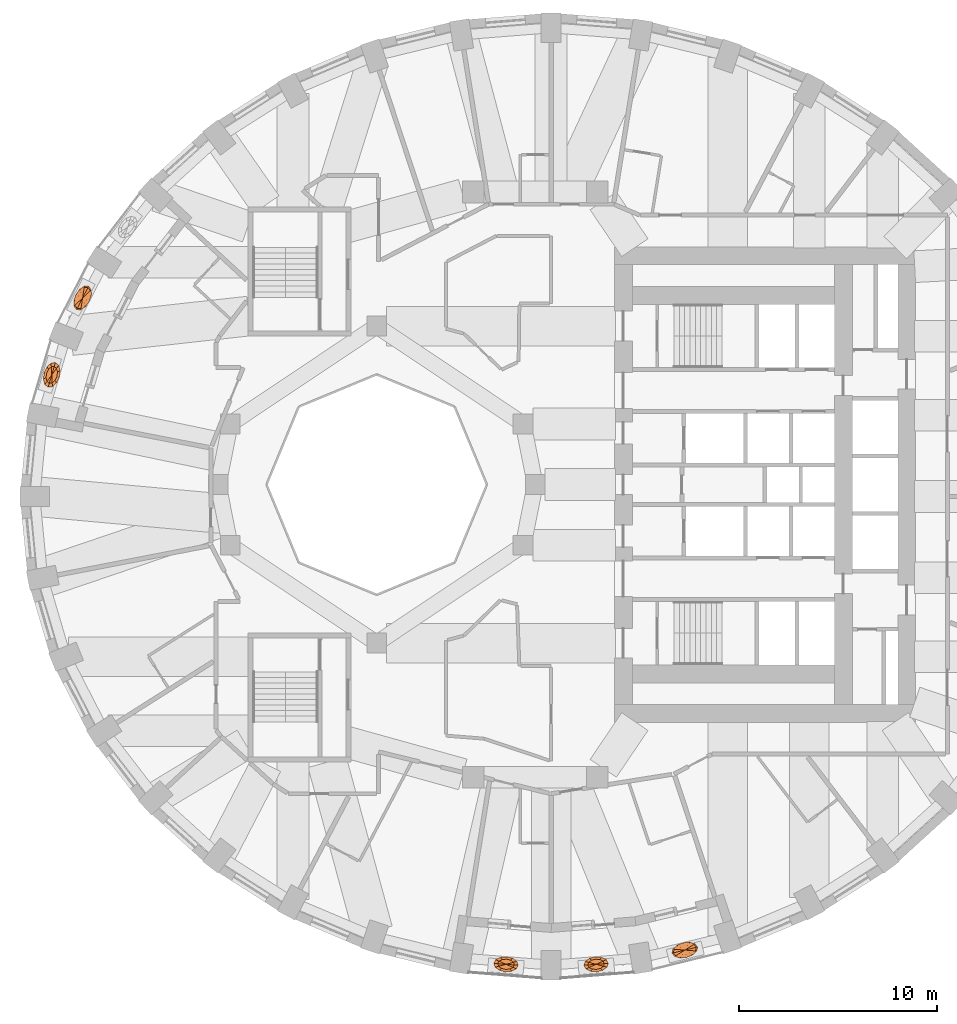
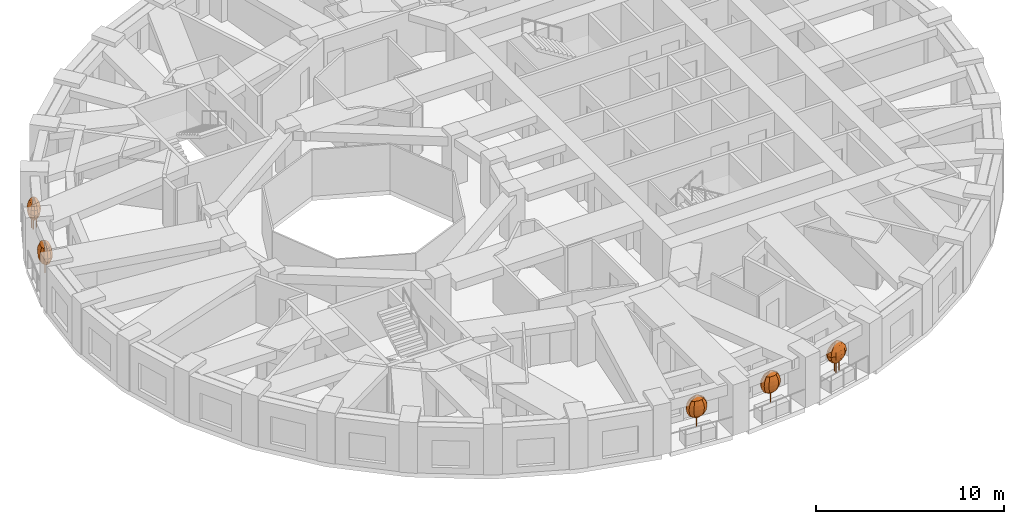
# One storey, part 12 of 13: 5 geographic elements.
"""IFC4 building model written with IfcOpenShell, lengths in metres."""

import ifcopenshell
import ifcopenshell.guid

model = None  # the IFC model being written
_history = None  # IfcOwnerHistory: only IFC2X3 demands one
_inside = {}  # id of a spatial element -> (the spatial element, [elements in it])
_under = {}  # id of a project, library or spatial element -> (it, [spatial elements below it])
_declared = {}  # id of a project -> (the project, [libraries it declares])
_typed = {}  # id of a type object -> (the type object, [elements of that type])
_made_of = {}  # id of a material, layer set ... -> (it, [elements and type objects made of it])


def new_model(schema):
    """Start an empty IFC model of exactly this schema.

    Asked for "IFC4X3", IfcOpenShell would pick the latest addendum, in which some entities
    have other attributes; the version numbers below select the first issue.
    IFC2X3 requires an IfcOwnerHistory on every rooted entity: one is made here for all.
    """
    global model, _history
    if schema == "IFC4X3":
        model = ifcopenshell.file(schema_version=(4, 3, 0, 0))
    else:
        model = ifcopenshell.file(schema=schema)
    _inside.clear()
    _under.clear()
    _declared.clear()
    _typed.clear()
    _made_of.clear()
    _history = None
    if model.schema == "IFC2X3":
        org = make("IfcOrganization", Name="unknown")
        user = make(
            "IfcPersonAndOrganization",
            ThePerson=make("IfcPerson", FamilyName="unknown"),
            TheOrganization=org,
        )
        app = make(
            "IfcApplication",
            ApplicationDeveloper=org,
            Version="unknown",
            ApplicationFullName="unknown",
            ApplicationIdentifier="unknown",
        )
        _history = make(
            "IfcOwnerHistory",
            OwningUser=user,
            OwningApplication=app,
            ChangeAction="ADDED",
            CreationDate=0,
        )
    return model


def make(cls, **values):
    """One entity of the class cls with the attributes given. An attribute that is None is left unset."""
    return model.create_entity(
        cls, **{name: value for name, value in values.items() if value is not None}
    )


def rooted(cls, **values):
    """An entity with a GlobalId (a new one), such as an element, a storey or a relation."""
    return make(cls, GlobalId=ifcopenshell.guid.new(), OwnerHistory=_history, **values)


def si_unit(unit_type, name, prefix=None):
    """IfcSIUnit, for example si_unit("LENGTHUNIT", "METRE", prefix="MILLI")."""
    return make("IfcSIUnit", UnitType=unit_type, Prefix=prefix, Name=name)


def assignment(units):
    """IfcUnitAssignment: the units of a project."""
    return None if units is None else make("IfcUnitAssignment", Units=units)


def point(xyz):
    """IfcCartesianPoint."""
    return None if xyz is None else make("IfcCartesianPoint", Coordinates=xyz)


def direction(xyz):
    """IfcDirection."""
    return None if xyz is None else make("IfcDirection", DirectionRatios=xyz)


def frame(location, z_axis=None, x_axis=None):
    """IfcAxis2Placement3D, a coordinate frame: its origin and axes. An axis left out is left unset."""
    return make(
        "IfcAxis2Placement3D",
        Location=point(location),
        Axis=direction(z_axis),
        RefDirection=direction(x_axis),
    )


def origin():
    """The frame at (0, 0, 0) with its axes left unset."""
    return frame((0.0, 0.0, 0.0))


def place(relative_to, where):
    """IfcLocalPlacement: puts the frame where relative to a parent placement (None: the world)."""
    return make(
        "IfcLocalPlacement", PlacementRelTo=relative_to, RelativePlacement=where
    )


def context(
    kind, dimensions, precision=None, world=None, true_north=None, identifier=None
):
    """IfcGeometricRepresentationContext, for example the 3D "Model" context."""
    return make(
        "IfcGeometricRepresentationContext",
        ContextIdentifier=identifier,
        ContextType=kind,
        CoordinateSpaceDimension=dimensions,
        Precision=precision,
        WorldCoordinateSystem=world,
        TrueNorth=true_north,
    )


def subcontext(parent, identifier, kind, view, scale=None):
    """IfcGeometricRepresentationSubContext, for example "Body" below "Model"."""
    return make(
        "IfcGeometricRepresentationSubContext",
        ContextIdentifier=identifier,
        ContextType=kind,
        ParentContext=parent,
        TargetScale=scale,
        TargetView=view,
    )


def project(units=None, contexts=None):
    """IfcProject with its units and contexts."""
    return rooted(
        "IfcProject",
        Name="project",
        RepresentationContexts=contexts,
        UnitsInContext=assignment(units),
    )


def spatial(cls, under=None, at=None, **own):
    """A site, building, storey or space (cls), placed at a placement, below another one or the project."""
    s = rooted(cls, ObjectPlacement=at, **own)
    if under is not None:
        _under.setdefault(under.id(), (under, []))[1].append(s)
    return s


def faces_of(points, faces, orient=None, outer=None):
    """IfcFace entities. A face is a list of loops; a loop is a list of indices into points, from 0.

    orient and outer hold one flag for each loop. By default every Orientation is true, the
    first loop of a face is its IfcFaceOuterBound and the others are IfcFaceBound.
    """
    made = []
    for i, loops in enumerate(faces):
        bounds = []
        for j, loop in enumerate(loops):
            is_outer = j == 0 if outer is None else outer[i][j]
            bounds.append(
                make(
                    "IfcFaceOuterBound" if is_outer else "IfcFaceBound",
                    Bound=make("IfcPolyLoop", Polygon=[points[k] for k in loop]),
                    Orientation=True if orient is None else orient[i][j],
                )
            )
        made.append(make("IfcFace", Bounds=bounds))
    return made


def faceted_brep(points, faces, orient=None, outer=None, voids=None):
    """IfcFacetedBrep: a solid bounded by flat faces; with voids (closed shells), ...WithVoids."""
    shared = [point(p) for p in points]
    hull = make("IfcClosedShell", CfsFaces=faces_of(shared, faces, orient, outer))
    if voids is None:
        return make("IfcFacetedBrep", Outer=hull)
    return make(
        "IfcFacetedBrepWithVoids",
        Outer=hull,
        Voids=[
            make(cls, CfsFaces=faces_of(shared, fs, o, b)) for cls, fs, o, b in voids
        ],
    )


def shape(context_of_items, identifier, shape_type, items):
    """IfcShapeRepresentation: the items that make up one representation, for example the "Body"."""
    return make(
        "IfcShapeRepresentation",
        ContextOfItems=context_of_items,
        RepresentationIdentifier=identifier,
        RepresentationType=shape_type,
        Items=items,
    )


def material(Name=None, Category=None):
    """IfcMaterial."""
    return make("IfcMaterial", Name=Name, Category=Category)


def constituent(of_material, Name=None, Category=None, fraction=None):
    """IfcMaterialConstituent: one of the materials an element consists of."""
    return make(
        "IfcMaterialConstituent",
        Name=Name,
        Material=of_material,
        Fraction=fraction,
        Category=Category,
    )


def constituent_set(constituents=None, Name=None):
    """IfcMaterialConstituentSet."""
    return make(
        "IfcMaterialConstituentSet", Name=Name, MaterialConstituents=constituents
    )


def made_of(thing, what):
    """Note that an element or type object is made of a material, layer set ...; save() writes the relation."""
    if what is not None:
        _made_of.setdefault(what.id(), (what, []))[1].append(thing)
    return thing


def type_object(cls, material=None, **own):
    """A type object (cls), such as IfcWallType, which elements share."""
    return made_of(rooted(cls, **own), material)


def element(
    cls,
    number,
    at=None,
    inside=None,
    cuts=None,
    type_object=None,
    material=None,
    context=None,
    identifier="Body",
    shape_type=None,
    held_by="IfcProductDefinitionShape",
    body=None,
    shapes=None,
    **own,
):
    """One element of the class cls, such as IfcWall. Its Tag is "e" and its number.

    at: its placement. inside: the storey or other place that contains it. cuts: it is an
    opening in that element (IfcRelVoidsElement). A single representation is given by context,
    identifier, shape_type and body (its items); several are given by shapes. held_by: the class
    of the entity that holds the representations. save() writes the other relations.
    """
    e = rooted(cls, Tag="e%d" % number, ObjectPlacement=at, **own)
    if body is not None:
        shapes = [shape(context, identifier, shape_type, body)]
    if shapes is not None:
        e.Representation = make(held_by, Representations=shapes)
    if inside is not None:
        _inside.setdefault(inside.id(), (inside, []))[1].append(e)
    if cuts is not None:
        rooted(
            "IfcRelVoidsElement", RelatingBuildingElement=cuts, RelatedOpeningElement=e
        )
    if type_object is not None:
        _typed.setdefault(type_object.id(), (type_object, []))[1].append(e)
    return made_of(e, material)


def aggregate(whole, parts):
    """IfcRelAggregates: a whole, such as a stair, and the parts it consists of."""
    return rooted("IfcRelAggregates", RelatingObject=whole, RelatedObjects=parts)


def save(model, path):
    """Write the relations noted so far, then the file.

    IfcRelAggregates (storeys below a building ...), IfcRelContainedInSpatialStructure (elements
    in a storey), IfcRelDefinesByType, IfcRelAssociatesMaterial and IfcRelDeclares: one each for
    every whole, place, type object, material and project.
    """
    for whole, parts in _under.values():
        aggregate(whole, parts)
    for where, things in _inside.values():
        rooted(
            "IfcRelContainedInSpatialStructure",
            RelatedElements=things,
            RelatingStructure=where,
        )
    for kind, things in _typed.values():
        rooted("IfcRelDefinesByType", RelatedObjects=things, RelatingType=kind)
    for what, things in _made_of.values():
        rooted("IfcRelAssociatesMaterial", RelatedObjects=things, RelatingMaterial=what)
    for by, libraries in _declared.values():
        rooted("IfcRelDeclares", RelatingContext=by, RelatedDefinitions=libraries)
    model.write(path)


model = new_model("IFC4")

# Units and contexts
model_context = context("Model", 3, precision=1e-05, world=origin(), true_north=direction((0.0, 1.0)))
body_context = subcontext(model_context, "Body", "Model", "MODEL_VIEW")
ifc_project = project(units=[si_unit("LENGTHUNIT", "METRE"), si_unit("AREAUNIT", "SQUARE_METRE"), si_unit("VOLUMEUNIT", "CUBIC_METRE"), si_unit("PLANEANGLEUNIT", "RADIAN"), si_unit("MASSUNIT", "GRAM", prefix="KILO")], contexts=[model_context])

# Site, building, storey
site_placement = place(None, origin())
site = spatial("IfcSite", under=ifc_project, at=site_placement, CompositionType="ELEMENT")
building_placement = place(site_placement, origin())
building = spatial("IfcBuilding", under=site, at=building_placement, Name="Taillehof Tower", CompositionType="ELEMENT")
storey_placement = place(building_placement, frame((0.0, 0.0, 112.0)))
storey = spatial("IfcBuildingStorey", under=building, at=storey_placement, Name="L31", CompositionType="ELEMENT", Elevation=112.0)

# Geographic elements
ifc_material_1 = material(Name="Tree bark", Category="timber")
ifc_constituent_1 = constituent(ifc_material_1, Name="Trunk", Category="timber")
ifc_material_2 = material(Name="Tree foliage")
ifc_constituent_2 = constituent(ifc_material_2, Name="Crown")
ifc_constituent_set_1 = constituent_set(constituents=[ifc_constituent_1, ifc_constituent_2], Name="Tree TR1 Columnar hornbeam")
geographic_element_type_1 = type_object("IfcGeographicElementType", Name="Tree TR1 Columnar hornbeam", PredefinedType="USERDEFINED", material=ifc_constituent_set_1)
geographic_element_1_placement = place(storey_placement, frame((-24.39794921875, 5.535888671875, 0.75)))
element("IfcGeographicElement", 1, at=geographic_element_1_placement, inside=storey, type_object=geographic_element_type_1, Name="Tree TR1 Columnar hornbeam", ObjectType="TREE", PredefinedType="USERDEFINED", context=body_context, shape_type="Brep", body=[
    faceted_brep([(0.030029296875, 0.0, 0.0), (0.021240234375, 0.021240234375, 0.0), (0.021240234375, 0.021240234375, 1.092529296875), (0.030029296875, 0.0, 1.092529296875), (0.0, 0.030029296875, 0.0), (0.0, 0.030029296875, 1.092529296875), (-0.021240234375, 0.021240234375, 0.0), (-0.021240234375, 0.021240234375, 1.092529296875), (-0.030029296875, 0.0, 0.0), (-0.030029296875, 0.0, 1.092529296875), (-0.021240234375, -0.021240234375, 0.0), (-0.021240234375, -0.021240234375, 1.092529296875), (0.0, -0.030029296875, 0.0), (0.0, -0.030029296875, 1.092529296875), (0.021240234375, -0.021240234375, 0.0), (0.021240234375, -0.021240234375, 1.092529296875)], [[[0, 1, 2, 3]], [[1, 4, 5, 2]], [[4, 6, 7, 5]], [[6, 8, 9, 7]], [[8, 10, 11, 9]], [[10, 12, 13, 11]], [[12, 14, 15, 13]], [[14, 0, 3, 15]], [[14, 12, 10, 8, 6, 4, 1, 0]], [[3, 2, 5, 7, 9, 11, 13, 15]]]),
    faceted_brep([(0.0, 0.0, 0.550048828125), (0.022216796875, -0.407470703125, 0.808349609375), (-0.125732421875, -0.42578125, 0.808349609375), (0.1640625, -0.27978515625, 0.808349609375), (0.261962890625, -0.077392578125, 0.808349609375), (0.289794921875, 0.14599609375, 0.808349609375), (0.23974609375, 0.330078125, 0.808349609375), (0.125732421875, 0.42578125, 0.808349609375), (-0.022216796875, 0.407470703125, 0.808349609375), (-0.1640625, 0.27978515625, 0.808349609375), (-0.261962890625, 0.077392578125, 0.808349609375), (-0.289794921875, -0.14599609375, 0.808349609375), (-0.23974609375, -0.330078125, 0.808349609375), (0.030029296875, -0.551025390625, 1.066650390625), (-0.169921875, -0.575927734375, 1.066650390625), (0.221923828125, -0.378662109375, 1.066650390625), (0.3544921875, -0.1044921875, 1.066650390625), (0.391845703125, 0.197509765625, 1.066650390625), (0.324462890625, 0.446533203125, 1.066650390625), (0.169921875, 0.575927734375, 1.066650390625), (-0.030029296875, 0.551025390625, 1.066650390625), (-0.221923828125, 0.378662109375, 1.066650390625), (-0.3544921875, 0.1044921875, 1.066650390625), (-0.391845703125, -0.197509765625, 1.066650390625), (-0.324462890625, -0.446533203125, 1.066650390625), (0.032470703125, -0.596435546875, 1.324951171875), (-0.18408203125, -0.62353515625, 1.324951171875), (0.240234375, -0.40966796875, 1.324951171875), (0.383544921875, -0.11328125, 1.324951171875), (0.42431640625, 0.213623046875, 1.324951171875), (0.35107421875, 0.4833984375, 1.324951171875), (0.18408203125, 0.62353515625, 1.324951171875), (-0.032470703125, 0.596435546875, 1.324951171875), (-0.240234375, 0.40966796875, 1.324951171875), (-0.383544921875, 0.11328125, 1.324951171875), (-0.42431640625, -0.213623046875, 1.324951171875), (-0.35107421875, -0.4833984375, 1.324951171875), (0.030029296875, -0.551025390625, 1.583251953125), (-0.169921875, -0.575927734375, 1.583251953125), (0.221923828125, -0.378662109375, 1.583251953125), (0.3544921875, -0.1044921875, 1.583251953125), (0.391845703125, 0.197509765625, 1.583251953125), (0.324462890625, 0.446533203125, 1.583251953125), (0.169921875, 0.575927734375, 1.583251953125), (-0.030029296875, 0.551025390625, 1.583251953125), (-0.221923828125, 0.378662109375, 1.583251953125), (-0.3544921875, 0.1044921875, 1.583251953125), (-0.391845703125, -0.197509765625, 1.583251953125), (-0.324462890625, -0.446533203125, 1.583251953125), (0.022216796875, -0.407470703125, 1.841552734375), (-0.125732421875, -0.42578125, 1.841552734375), (0.1640625, -0.27978515625, 1.841552734375), (0.261962890625, -0.077392578125, 1.841552734375), (0.289794921875, 0.14599609375, 1.841552734375), (0.23974609375, 0.330078125, 1.841552734375), (0.125732421875, 0.42578125, 1.841552734375), (-0.022216796875, 0.407470703125, 1.841552734375), (-0.1640625, 0.27978515625, 1.841552734375), (-0.261962890625, 0.077392578125, 1.841552734375), (-0.289794921875, -0.14599609375, 1.841552734375), (-0.23974609375, -0.330078125, 1.841552734375), (0.0, 0.0, 2.10009765625)], [[[0, 1, 2]], [[0, 3, 1]], [[0, 4, 3]], [[0, 5, 4]], [[0, 6, 5]], [[0, 7, 6]], [[0, 8, 7]], [[0, 9, 8]], [[0, 10, 9]], [[0, 11, 10]], [[0, 12, 11]], [[0, 2, 12]], [[2, 1, 13, 14]], [[1, 3, 15, 13]], [[3, 4, 16, 15]], [[4, 5, 17, 16]], [[5, 6, 18, 17]], [[6, 7, 19, 18]], [[7, 8, 20, 19]], [[8, 9, 21, 20]], [[9, 10, 22, 21]], [[10, 11, 23, 22]], [[11, 12, 24, 23]], [[12, 2, 14, 24]], [[14, 13, 25, 26]], [[13, 15, 27, 25]], [[15, 16, 28, 27]], [[16, 17, 29, 28]], [[17, 18, 30, 29]], [[18, 19, 31, 30]], [[19, 20, 32, 31]], [[20, 21, 33, 32]], [[21, 22, 34, 33]], [[22, 23, 35, 34]], [[23, 24, 36, 35]], [[24, 14, 26, 36]], [[26, 25, 37, 38]], [[25, 27, 39, 37]], [[27, 28, 40, 39]], [[28, 29, 41, 40]], [[29, 30, 42, 41]], [[30, 31, 43, 42]], [[31, 32, 44, 43]], [[32, 33, 45, 44]], [[33, 34, 46, 45]], [[34, 35, 47, 46]], [[35, 36, 48, 47]], [[36, 26, 38, 48]], [[38, 37, 49, 50]], [[37, 39, 51, 49]], [[39, 40, 52, 51]], [[40, 41, 53, 52]], [[41, 42, 54, 53]], [[42, 43, 55, 54]], [[43, 44, 56, 55]], [[44, 45, 57, 56]], [[45, 46, 58, 57]], [[46, 47, 59, 58]], [[47, 48, 60, 59]], [[48, 38, 50, 60]], [[50, 49, 61]], [[49, 51, 61]], [[51, 52, 61]], [[52, 53, 61]], [[53, 54, 61]], [[54, 55, 61]], [[55, 56, 61]], [[56, 57, 61]], [[57, 58, 61]], [[58, 59, 61]], [[59, 60, 61]], [[60, 50, 61]]]),
])
geographic_element_2_placement = place(storey_placement, frame((-1.472900390625, -24.20751953125, 0.75)))
element("IfcGeographicElement", 2, at=geographic_element_2_placement, inside=storey, type_object=geographic_element_type_1, Name="Tree TR1 Columnar hornbeam", ObjectType="TREE", PredefinedType="USERDEFINED", context=body_context, shape_type="Brep", body=[
    faceted_brep([(0.030029296875, 0.0, 0.0), (0.021240234375, 0.021240234375, 0.0), (0.021240234375, 0.021240234375, 1.092529296875), (0.030029296875, 0.0, 1.092529296875), (0.0, 0.030029296875, 0.0), (0.0, 0.030029296875, 1.092529296875), (-0.021240234375, 0.021240234375, 0.0), (-0.021240234375, 0.021240234375, 1.092529296875), (-0.030029296875, 0.0, 0.0), (-0.030029296875, 0.0, 1.092529296875), (-0.021240234375, -0.021240234375, 0.0), (-0.021240234375, -0.021240234375, 1.092529296875), (0.0, -0.030029296875, 0.0), (0.0, -0.030029296875, 1.092529296875), (0.021240234375, -0.021240234375, 0.0), (0.021240234375, -0.021240234375, 1.092529296875)], [[[0, 1, 2, 3]], [[1, 4, 5, 2]], [[4, 6, 7, 5]], [[6, 8, 9, 7]], [[8, 10, 11, 9]], [[10, 12, 13, 11]], [[12, 14, 15, 13]], [[14, 0, 3, 15]], [[14, 12, 10, 8, 6, 4, 1, 0]], [[3, 2, 5, 7, 9, 11, 13, 15]]]),
    faceted_brep([(0.0, 0.0, 0.550048828125), (0.374267578125, 0.100341796875, 0.808349609375), (0.42041015625, -0.033447265625, 0.808349609375), (0.22802734375, 0.207275390625, 0.808349609375), (0.0205078125, 0.2587890625, 0.808349609375), (-0.1923828125, 0.24072265625, 0.808349609375), (-0.353759765625, 0.158203125, 0.808349609375), (-0.42041015625, 0.033447265625, 0.808349609375), (-0.374267578125, -0.100341796875, 0.808349609375), (-0.22802734375, -0.207275390625, 0.808349609375), (-0.0205078125, -0.2587890625, 0.808349609375), (0.1923828125, -0.24072265625, 0.808349609375), (0.353759765625, -0.158203125, 0.808349609375), (0.50634765625, 0.135986328125, 1.066650390625), (0.56884765625, -0.045166015625, 1.066650390625), (0.308349609375, 0.280517578125, 1.066650390625), (0.02783203125, 0.35009765625, 1.066650390625), (-0.26025390625, 0.32568359375, 1.066650390625), (-0.478759765625, 0.214111328125, 1.066650390625), (-0.56884765625, 0.045166015625, 1.066650390625), (-0.50634765625, -0.135986328125, 1.066650390625), (-0.308349609375, -0.280517578125, 1.066650390625), (-0.02783203125, -0.35009765625, 1.066650390625), (0.26025390625, -0.32568359375, 1.066650390625), (0.478759765625, -0.214111328125, 1.066650390625), (0.548095703125, 0.14697265625, 1.324951171875), (0.615478515625, -0.048828125, 1.324951171875), (0.333740234375, 0.3037109375, 1.324951171875), (0.030029296875, 0.37890625, 1.324951171875), (-0.28173828125, 0.3525390625, 1.324951171875), (-0.51806640625, 0.231689453125, 1.324951171875), (-0.615478515625, 0.048828125, 1.324951171875), (-0.548095703125, -0.14697265625, 1.324951171875), (-0.333740234375, -0.3037109375, 1.324951171875), (-0.030029296875, -0.37890625, 1.324951171875), (0.28173828125, -0.3525390625, 1.324951171875), (0.51806640625, -0.231689453125, 1.324951171875), (0.50634765625, 0.135986328125, 1.583251953125), (0.56884765625, -0.045166015625, 1.583251953125), (0.308349609375, 0.280517578125, 1.583251953125), (0.02783203125, 0.35009765625, 1.583251953125), (-0.26025390625, 0.32568359375, 1.583251953125), (-0.478759765625, 0.214111328125, 1.583251953125), (-0.56884765625, 0.045166015625, 1.583251953125), (-0.50634765625, -0.135986328125, 1.583251953125), (-0.308349609375, -0.280517578125, 1.583251953125), (-0.02783203125, -0.35009765625, 1.583251953125), (0.26025390625, -0.32568359375, 1.583251953125), (0.478759765625, -0.214111328125, 1.583251953125), (0.374267578125, 0.100341796875, 1.841552734375), (0.42041015625, -0.033447265625, 1.841552734375), (0.22802734375, 0.207275390625, 1.841552734375), (0.0205078125, 0.2587890625, 1.841552734375), (-0.1923828125, 0.24072265625, 1.841552734375), (-0.353759765625, 0.158203125, 1.841552734375), (-0.42041015625, 0.033447265625, 1.841552734375), (-0.374267578125, -0.100341796875, 1.841552734375), (-0.22802734375, -0.207275390625, 1.841552734375), (-0.0205078125, -0.2587890625, 1.841552734375), (0.1923828125, -0.24072265625, 1.841552734375), (0.353759765625, -0.158203125, 1.841552734375), (0.0, 0.0, 2.10009765625)], [[[0, 1, 2]], [[0, 3, 1]], [[0, 4, 3]], [[0, 5, 4]], [[0, 6, 5]], [[0, 7, 6]], [[0, 8, 7]], [[0, 9, 8]], [[0, 10, 9]], [[0, 11, 10]], [[0, 12, 11]], [[0, 2, 12]], [[2, 1, 13, 14]], [[1, 3, 15, 13]], [[3, 4, 16, 15]], [[4, 5, 17, 16]], [[5, 6, 18, 17]], [[6, 7, 19, 18]], [[7, 8, 20, 19]], [[8, 9, 21, 20]], [[9, 10, 22, 21]], [[10, 11, 23, 22]], [[11, 12, 24, 23]], [[12, 2, 14, 24]], [[14, 13, 25, 26]], [[13, 15, 27, 25]], [[15, 16, 28, 27]], [[16, 17, 29, 28]], [[17, 18, 30, 29]], [[18, 19, 31, 30]], [[19, 20, 32, 31]], [[20, 21, 33, 32]], [[21, 22, 34, 33]], [[22, 23, 35, 34]], [[23, 24, 36, 35]], [[24, 14, 26, 36]], [[26, 25, 37, 38]], [[25, 27, 39, 37]], [[27, 28, 40, 39]], [[28, 29, 41, 40]], [[29, 30, 42, 41]], [[30, 31, 43, 42]], [[31, 32, 44, 43]], [[32, 33, 45, 44]], [[33, 34, 46, 45]], [[34, 35, 47, 46]], [[35, 36, 48, 47]], [[36, 26, 38, 48]], [[38, 37, 49, 50]], [[37, 39, 51, 49]], [[39, 40, 52, 51]], [[40, 41, 53, 52]], [[41, 42, 54, 53]], [[42, 43, 55, 54]], [[43, 44, 56, 55]], [[44, 45, 57, 56]], [[45, 46, 58, 57]], [[46, 47, 59, 58]], [[47, 48, 60, 59]], [[48, 38, 50, 60]], [[50, 49, 61]], [[49, 51, 61]], [[51, 52, 61]], [[52, 53, 61]], [[53, 54, 61]], [[54, 55, 61]], [[55, 56, 61]], [[56, 57, 61]], [[57, 58, 61]], [[58, 59, 61]], [[59, 60, 61]], [[60, 50, 61]]]),
])
geographic_element_3_placement = place(storey_placement, frame((3.072998046875, -24.20751953125, 0.75)))
element("IfcGeographicElement", 3, at=geographic_element_3_placement, inside=storey, type_object=geographic_element_type_1, Name="Tree TR1 Columnar hornbeam", ObjectType="TREE", PredefinedType="USERDEFINED", context=body_context, shape_type="Brep", body=[
    faceted_brep([(0.030029296875, 0.0, 0.0), (0.021240234375, 0.021240234375, 0.0), (0.021240234375, 0.021240234375, 1.092529296875), (0.030029296875, 0.0, 1.092529296875), (0.0, 0.030029296875, 0.0), (0.0, 0.030029296875, 1.092529296875), (-0.021240234375, 0.021240234375, 0.0), (-0.021240234375, 0.021240234375, 1.092529296875), (-0.030029296875, 0.0, 0.0), (-0.030029296875, 0.0, 1.092529296875), (-0.021240234375, -0.021240234375, 0.0), (-0.021240234375, -0.021240234375, 1.092529296875), (0.0, -0.030029296875, 0.0), (0.0, -0.030029296875, 1.092529296875), (0.021240234375, -0.021240234375, 0.0), (0.021240234375, -0.021240234375, 1.092529296875)], [[[0, 1, 2, 3]], [[1, 4, 5, 2]], [[4, 6, 7, 5]], [[6, 8, 9, 7]], [[8, 10, 11, 9]], [[10, 12, 13, 11]], [[12, 14, 15, 13]], [[14, 0, 3, 15]], [[14, 12, 10, 8, 6, 4, 1, 0]], [[3, 2, 5, 7, 9, 11, 13, 15]]]),
    faceted_brep([(0.0, 0.0, 0.550048828125), (0.353759765625, 0.158203125, 0.808349609375), (0.42041015625, 0.033447265625, 0.808349609375), (0.1923828125, 0.24072265625, 0.808349609375), (-0.0205078125, 0.2587890625, 0.808349609375), (-0.22802734375, 0.207275390625, 0.808349609375), (-0.374267578125, 0.100341796875, 0.808349609375), (-0.42041015625, -0.033447265625, 0.808349609375), (-0.353759765625, -0.158203125, 0.808349609375), (-0.1923828125, -0.24072265625, 0.808349609375), (0.0205078125, -0.2587890625, 0.808349609375), (0.22802734375, -0.207275390625, 0.808349609375), (0.374267578125, -0.100341796875, 0.808349609375), (0.478759765625, 0.214111328125, 1.066650390625), (0.56884765625, 0.045166015625, 1.066650390625), (0.26025390625, 0.32568359375, 1.066650390625), (-0.02783203125, 0.35009765625, 1.066650390625), (-0.308349609375, 0.280517578125, 1.066650390625), (-0.50634765625, 0.135986328125, 1.066650390625), (-0.56884765625, -0.045166015625, 1.066650390625), (-0.478759765625, -0.214111328125, 1.066650390625), (-0.26025390625, -0.32568359375, 1.066650390625), (0.02783203125, -0.35009765625, 1.066650390625), (0.308349609375, -0.280517578125, 1.066650390625), (0.50634765625, -0.135986328125, 1.066650390625), (0.51806640625, 0.231689453125, 1.324951171875), (0.615478515625, 0.048828125, 1.324951171875), (0.28173828125, 0.3525390625, 1.324951171875), (-0.030029296875, 0.37890625, 1.324951171875), (-0.333740234375, 0.3037109375, 1.324951171875), (-0.548095703125, 0.14697265625, 1.324951171875), (-0.615478515625, -0.048828125, 1.324951171875), (-0.51806640625, -0.231689453125, 1.324951171875), (-0.28173828125, -0.3525390625, 1.324951171875), (0.030029296875, -0.37890625, 1.324951171875), (0.333740234375, -0.3037109375, 1.324951171875), (0.548095703125, -0.14697265625, 1.324951171875), (0.478759765625, 0.214111328125, 1.583251953125), (0.56884765625, 0.045166015625, 1.583251953125), (0.26025390625, 0.32568359375, 1.583251953125), (-0.02783203125, 0.35009765625, 1.583251953125), (-0.308349609375, 0.280517578125, 1.583251953125), (-0.50634765625, 0.135986328125, 1.583251953125), (-0.56884765625, -0.045166015625, 1.583251953125), (-0.478759765625, -0.214111328125, 1.583251953125), (-0.26025390625, -0.32568359375, 1.583251953125), (0.02783203125, -0.35009765625, 1.583251953125), (0.308349609375, -0.280517578125, 1.583251953125), (0.50634765625, -0.135986328125, 1.583251953125), (0.353759765625, 0.158203125, 1.841552734375), (0.42041015625, 0.033447265625, 1.841552734375), (0.1923828125, 0.24072265625, 1.841552734375), (-0.0205078125, 0.2587890625, 1.841552734375), (-0.22802734375, 0.207275390625, 1.841552734375), (-0.374267578125, 0.100341796875, 1.841552734375), (-0.42041015625, -0.033447265625, 1.841552734375), (-0.353759765625, -0.158203125, 1.841552734375), (-0.1923828125, -0.24072265625, 1.841552734375), (0.0205078125, -0.2587890625, 1.841552734375), (0.22802734375, -0.207275390625, 1.841552734375), (0.374267578125, -0.100341796875, 1.841552734375), (0.0, 0.0, 2.10009765625)], [[[0, 1, 2]], [[0, 3, 1]], [[0, 4, 3]], [[0, 5, 4]], [[0, 6, 5]], [[0, 7, 6]], [[0, 8, 7]], [[0, 9, 8]], [[0, 10, 9]], [[0, 11, 10]], [[0, 12, 11]], [[0, 2, 12]], [[2, 1, 13, 14]], [[1, 3, 15, 13]], [[3, 4, 16, 15]], [[4, 5, 17, 16]], [[5, 6, 18, 17]], [[6, 7, 19, 18]], [[7, 8, 20, 19]], [[8, 9, 21, 20]], [[9, 10, 22, 21]], [[10, 11, 23, 22]], [[11, 12, 24, 23]], [[12, 2, 14, 24]], [[14, 13, 25, 26]], [[13, 15, 27, 25]], [[15, 16, 28, 27]], [[16, 17, 29, 28]], [[17, 18, 30, 29]], [[18, 19, 31, 30]], [[19, 20, 32, 31]], [[20, 21, 33, 32]], [[21, 22, 34, 33]], [[22, 23, 35, 34]], [[23, 24, 36, 35]], [[24, 14, 26, 36]], [[26, 25, 37, 38]], [[25, 27, 39, 37]], [[27, 28, 40, 39]], [[28, 29, 41, 40]], [[29, 30, 42, 41]], [[30, 31, 43, 42]], [[31, 32, 44, 43]], [[32, 33, 45, 44]], [[33, 34, 46, 45]], [[34, 35, 47, 46]], [[35, 36, 48, 47]], [[36, 26, 38, 48]], [[38, 37, 49, 50]], [[37, 39, 51, 49]], [[39, 40, 52, 51]], [[40, 41, 53, 52]], [[41, 42, 54, 53]], [[42, 43, 55, 54]], [[43, 44, 56, 55]], [[44, 45, 57, 56]], [[45, 46, 58, 57]], [[46, 47, 59, 58]], [[47, 48, 60, 59]], [[48, 38, 50, 60]], [[50, 49, 61]], [[49, 51, 61]], [[51, 52, 61]], [[52, 53, 61]], [[53, 54, 61]], [[54, 55, 61]], [[55, 56, 61]], [[56, 57, 61]], [[57, 58, 61]], [[58, 59, 61]], [[59, 60, 61]], [[60, 50, 61]]]),
])
ifc_material_3 = material(Name="Tree bark", Category="timber")
ifc_constituent_3 = constituent(ifc_material_3, Name="Trunk", Category="timber")
ifc_material_4 = material(Name="Tree foliage")
ifc_constituent_4 = constituent(ifc_material_4, Name="Crown")
ifc_constituent_set_2 = constituent_set(constituents=[ifc_constituent_3, ifc_constituent_4], Name="Tree TR3 Multi-stem serviceberry")
geographic_element_type_2 = type_object("IfcGeographicElementType", Name="Tree TR3 Multi-stem serviceberry", PredefinedType="USERDEFINED", material=ifc_constituent_set_2)
geographic_element_4_placement = place(storey_placement, frame((-22.841796875, 9.41845703125, 0.75)))
element("IfcGeographicElement", 4, at=geographic_element_4_placement, inside=storey, type_object=geographic_element_type_2, Name="Tree TR3 Multi-stem serviceberry", ObjectType="TREE", PredefinedType="USERDEFINED", context=body_context, shape_type="Brep", body=[
    faceted_brep([(0.195068359375, 0.0, 0.0), (0.186767578125, 0.0205078125, 0.0), (0.186767578125, 0.0205078125, 1.04248046875), (0.195068359375, 0.0, 1.04248046875), (0.166259765625, 0.02880859375, 0.0), (0.166259765625, 0.02880859375, 1.04248046875), (0.145751953125, 0.0205078125, 0.0), (0.145751953125, 0.0205078125, 1.04248046875), (0.137451171875, 0.0, 0.0), (0.137451171875, 0.0, 1.04248046875), (0.145751953125, -0.0205078125, 0.0), (0.145751953125, -0.0205078125, 1.04248046875), (0.166259765625, -0.02880859375, 0.0), (0.166259765625, -0.02880859375, 1.04248046875), (0.186767578125, -0.0205078125, 0.0), (0.186767578125, -0.0205078125, 1.04248046875)], [[[0, 1, 2, 3]], [[1, 4, 5, 2]], [[4, 6, 7, 5]], [[6, 8, 9, 7]], [[8, 10, 11, 9]], [[10, 12, 13, 11]], [[12, 14, 15, 13]], [[14, 0, 3, 15]], [[14, 12, 10, 8, 6, 4, 1, 0]], [[3, 2, 5, 7, 9, 11, 13, 15]]]),
    faceted_brep([(-0.05419921875, 0.082275390625, 0.0), (-0.062744140625, 0.102783203125, 0.0), (-0.062744140625, 0.102783203125, 1.04248046875), (-0.05419921875, 0.082275390625, 1.04248046875), (-0.0830078125, 0.111083984375, 0.0), (-0.0830078125, 0.111083984375, 1.04248046875), (-0.103515625, 0.102783203125, 0.0), (-0.103515625, 0.102783203125, 1.04248046875), (-0.112060546875, 0.082275390625, 0.0), (-0.112060546875, 0.082275390625, 1.04248046875), (-0.103515625, 0.061767578125, 0.0), (-0.103515625, 0.061767578125, 1.04248046875), (-0.0830078125, 0.053466796875, 0.0), (-0.0830078125, 0.053466796875, 1.04248046875), (-0.062744140625, 0.061767578125, 0.0), (-0.062744140625, 0.061767578125, 1.04248046875)], [[[0, 1, 2, 3]], [[1, 4, 5, 2]], [[4, 6, 7, 5]], [[6, 8, 9, 7]], [[8, 10, 11, 9]], [[10, 12, 13, 11]], [[12, 14, 15, 13]], [[14, 0, 3, 15]], [[14, 12, 10, 8, 6, 4, 1, 0]], [[3, 2, 5, 7, 9, 11, 13, 15]]]),
    faceted_brep([(-0.05419921875, -0.082275390625, 0.0), (-0.062744140625, -0.061767578125, 0.0), (-0.062744140625, -0.061767578125, 1.04248046875), (-0.05419921875, -0.082275390625, 1.04248046875), (-0.0830078125, -0.053466796875, 0.0), (-0.0830078125, -0.053466796875, 1.04248046875), (-0.103515625, -0.061767578125, 0.0), (-0.103515625, -0.061767578125, 1.04248046875), (-0.112060546875, -0.082275390625, 0.0), (-0.112060546875, -0.082275390625, 1.04248046875), (-0.103515625, -0.102783203125, 0.0), (-0.103515625, -0.102783203125, 1.04248046875), (-0.0830078125, -0.111083984375, 0.0), (-0.0830078125, -0.111083984375, 1.04248046875), (-0.062744140625, -0.102783203125, 0.0), (-0.062744140625, -0.102783203125, 1.04248046875)], [[[0, 1, 2, 3]], [[1, 4, 5, 2]], [[4, 6, 7, 5]], [[6, 8, 9, 7]], [[8, 10, 11, 9]], [[10, 12, 13, 11]], [[12, 14, 15, 13]], [[14, 0, 3, 15]], [[14, 12, 10, 8, 6, 4, 1, 0]], [[3, 2, 5, 7, 9, 11, 13, 15]]]),
    faceted_brep([(0.0, 0.0, 0.5), (-0.053955078125, -0.343994140625, 0.75830078125), (-0.174560546875, -0.33984375, 0.75830078125), (0.080810546875, -0.25634765625, 0.75830078125), (0.194091796875, -0.099609375, 0.75830078125), (0.25537109375, 0.08349609375, 0.75830078125), (0.248291015625, 0.244384765625, 0.75830078125), (0.174560546875, 0.33984375, 0.75830078125), (0.053955078125, 0.343994140625, 0.75830078125), (-0.080810546875, 0.25634765625, 0.75830078125), (-0.194091796875, 0.099609375, 0.75830078125), (-0.25537109375, -0.08349609375, 0.75830078125), (-0.248291015625, -0.244384765625, 0.75830078125), (-0.083740234375, -0.533935546875, 1.0166015625), (-0.270751953125, -0.52734375, 1.0166015625), (0.12548828125, -0.397705078125, 1.0166015625), (0.30126953125, -0.15478515625, 1.0166015625), (0.396240234375, 0.129638671875, 1.0166015625), (0.38525390625, 0.379150390625, 1.0166015625), (0.270751953125, 0.52734375, 1.0166015625), (0.083740234375, 0.533935546875, 1.0166015625), (-0.12548828125, 0.397705078125, 1.0166015625), (-0.30126953125, 0.15478515625, 1.0166015625), (-0.396240234375, -0.129638671875, 1.0166015625), (-0.38525390625, -0.379150390625, 1.0166015625), (-0.093994140625, -0.59912109375, 1.27490234375), (-0.3037109375, -0.591552734375, 1.27490234375), (0.140869140625, -0.446044921875, 1.27490234375), (0.338134765625, -0.173583984375, 1.27490234375), (0.444580078125, 0.1455078125, 1.27490234375), (0.43212890625, 0.425537109375, 1.27490234375), (0.3037109375, 0.591552734375, 1.27490234375), (0.093994140625, 0.59912109375, 1.27490234375), (-0.140869140625, 0.446044921875, 1.27490234375), (-0.338134765625, 0.173583984375, 1.27490234375), (-0.444580078125, -0.1455078125, 1.27490234375), (-0.43212890625, -0.425537109375, 1.27490234375), (-0.083740234375, -0.533935546875, 1.533447265625), (-0.270751953125, -0.52734375, 1.533447265625), (0.12548828125, -0.397705078125, 1.533447265625), (0.30126953125, -0.15478515625, 1.533447265625), (0.396240234375, 0.129638671875, 1.533447265625), (0.38525390625, 0.379150390625, 1.533447265625), (0.270751953125, 0.52734375, 1.533447265625), (0.083740234375, 0.533935546875, 1.533447265625), (-0.12548828125, 0.397705078125, 1.533447265625), (-0.30126953125, 0.15478515625, 1.533447265625), (-0.396240234375, -0.129638671875, 1.533447265625), (-0.38525390625, -0.379150390625, 1.533447265625), (-0.053955078125, -0.343994140625, 1.791748046875), (-0.174560546875, -0.33984375, 1.791748046875), (0.080810546875, -0.25634765625, 1.791748046875), (0.194091796875, -0.099609375, 1.791748046875), (0.25537109375, 0.08349609375, 1.791748046875), (0.248291015625, 0.244384765625, 1.791748046875), (0.174560546875, 0.33984375, 1.791748046875), (0.053955078125, 0.343994140625, 1.791748046875), (-0.080810546875, 0.25634765625, 1.791748046875), (-0.194091796875, 0.099609375, 1.791748046875), (-0.25537109375, -0.08349609375, 1.791748046875), (-0.248291015625, -0.244384765625, 1.791748046875), (0.0, 0.0, 2.050048828125)], [[[0, 1, 2]], [[0, 3, 1]], [[0, 4, 3]], [[0, 5, 4]], [[0, 6, 5]], [[0, 7, 6]], [[0, 8, 7]], [[0, 9, 8]], [[0, 10, 9]], [[0, 11, 10]], [[0, 12, 11]], [[0, 2, 12]], [[2, 1, 13, 14]], [[1, 3, 15, 13]], [[3, 4, 16, 15]], [[4, 5, 17, 16]], [[5, 6, 18, 17]], [[6, 7, 19, 18]], [[7, 8, 20, 19]], [[8, 9, 21, 20]], [[9, 10, 22, 21]], [[10, 11, 23, 22]], [[11, 12, 24, 23]], [[12, 2, 14, 24]], [[14, 13, 25, 26]], [[13, 15, 27, 25]], [[15, 16, 28, 27]], [[16, 17, 29, 28]], [[17, 18, 30, 29]], [[18, 19, 31, 30]], [[19, 20, 32, 31]], [[20, 21, 33, 32]], [[21, 22, 34, 33]], [[22, 23, 35, 34]], [[23, 24, 36, 35]], [[24, 14, 26, 36]], [[26, 25, 37, 38]], [[25, 27, 39, 37]], [[27, 28, 40, 39]], [[28, 29, 41, 40]], [[29, 30, 42, 41]], [[30, 31, 43, 42]], [[31, 32, 44, 43]], [[32, 33, 45, 44]], [[33, 34, 46, 45]], [[34, 35, 47, 46]], [[35, 36, 48, 47]], [[36, 26, 38, 48]], [[38, 37, 49, 50]], [[37, 39, 51, 49]], [[39, 40, 52, 51]], [[40, 41, 53, 52]], [[41, 42, 54, 53]], [[42, 43, 55, 54]], [[43, 44, 56, 55]], [[44, 45, 57, 56]], [[45, 46, 58, 57]], [[46, 47, 59, 58]], [[47, 48, 60, 59]], [[48, 38, 50, 60]], [[50, 49, 61]], [[49, 51, 61]], [[51, 52, 61]], [[52, 53, 61]], [[53, 54, 61]], [[54, 55, 61]], [[55, 56, 61]], [[56, 57, 61]], [[57, 58, 61]], [[58, 59, 61]], [[59, 60, 61]], [[60, 50, 61]]]),
])
geographic_element_5_placement = place(storey_placement, frame((7.5498046875, -23.49072265625, 0.75)))
element("IfcGeographicElement", 5, at=geographic_element_5_placement, inside=storey, type_object=geographic_element_type_2, Name="Tree TR3 Multi-stem serviceberry", ObjectType="TREE", PredefinedType="USERDEFINED", context=body_context, shape_type="Brep", body=[
    faceted_brep([(0.195068359375, 0.0, 0.0), (0.186767578125, 0.0205078125, 0.0), (0.186767578125, 0.0205078125, 1.04248046875), (0.195068359375, 0.0, 1.04248046875), (0.166259765625, 0.02880859375, 0.0), (0.166259765625, 0.02880859375, 1.04248046875), (0.145751953125, 0.0205078125, 0.0), (0.145751953125, 0.0205078125, 1.04248046875), (0.137451171875, 0.0, 0.0), (0.137451171875, 0.0, 1.04248046875), (0.145751953125, -0.0205078125, 0.0), (0.145751953125, -0.0205078125, 1.04248046875), (0.166259765625, -0.02880859375, 0.0), (0.166259765625, -0.02880859375, 1.04248046875), (0.186767578125, -0.0205078125, 0.0), (0.186767578125, -0.0205078125, 1.04248046875)], [[[0, 1, 2, 3]], [[1, 4, 5, 2]], [[4, 6, 7, 5]], [[6, 8, 9, 7]], [[8, 10, 11, 9]], [[10, 12, 13, 11]], [[12, 14, 15, 13]], [[14, 0, 3, 15]], [[14, 12, 10, 8, 6, 4, 1, 0]], [[3, 2, 5, 7, 9, 11, 13, 15]]]),
    faceted_brep([(-0.05419921875, 0.082275390625, 0.0), (-0.062744140625, 0.102783203125, 0.0), (-0.062744140625, 0.102783203125, 1.04248046875), (-0.05419921875, 0.082275390625, 1.04248046875), (-0.0830078125, 0.111083984375, 0.0), (-0.0830078125, 0.111083984375, 1.04248046875), (-0.103515625, 0.102783203125, 0.0), (-0.103515625, 0.102783203125, 1.04248046875), (-0.112060546875, 0.082275390625, 0.0), (-0.112060546875, 0.082275390625, 1.04248046875), (-0.103515625, 0.061767578125, 0.0), (-0.103515625, 0.061767578125, 1.04248046875), (-0.0830078125, 0.053466796875, 0.0), (-0.0830078125, 0.053466796875, 1.04248046875), (-0.062744140625, 0.061767578125, 0.0), (-0.062744140625, 0.061767578125, 1.04248046875)], [[[0, 1, 2, 3]], [[1, 4, 5, 2]], [[4, 6, 7, 5]], [[6, 8, 9, 7]], [[8, 10, 11, 9]], [[10, 12, 13, 11]], [[12, 14, 15, 13]], [[14, 0, 3, 15]], [[14, 12, 10, 8, 6, 4, 1, 0]], [[3, 2, 5, 7, 9, 11, 13, 15]]]),
    faceted_brep([(-0.05419921875, -0.082275390625, 0.0), (-0.062744140625, -0.061767578125, 0.0), (-0.062744140625, -0.061767578125, 1.04248046875), (-0.05419921875, -0.082275390625, 1.04248046875), (-0.0830078125, -0.053466796875, 0.0), (-0.0830078125, -0.053466796875, 1.04248046875), (-0.103515625, -0.061767578125, 0.0), (-0.103515625, -0.061767578125, 1.04248046875), (-0.112060546875, -0.082275390625, 0.0), (-0.112060546875, -0.082275390625, 1.04248046875), (-0.103515625, -0.102783203125, 0.0), (-0.103515625, -0.102783203125, 1.04248046875), (-0.0830078125, -0.111083984375, 0.0), (-0.0830078125, -0.111083984375, 1.04248046875), (-0.062744140625, -0.102783203125, 0.0), (-0.062744140625, -0.102783203125, 1.04248046875)], [[[0, 1, 2, 3]], [[1, 4, 5, 2]], [[4, 6, 7, 5]], [[6, 8, 9, 7]], [[8, 10, 11, 9]], [[10, 12, 13, 11]], [[12, 14, 15, 13]], [[14, 0, 3, 15]], [[14, 12, 10, 8, 6, 4, 1, 0]], [[3, 2, 5, 7, 9, 11, 13, 15]]]),
    faceted_brep([(0.0, 0.0, 0.5), (0.295654296875, 0.184326171875, 0.75830078125), (0.37109375, 0.09033203125, 0.75830078125), (0.140869140625, 0.228759765625, 0.75830078125), (-0.051513671875, 0.212158203125, 0.75830078125), (-0.230224609375, 0.138427734375, 0.75830078125), (-0.34716796875, 0.02783203125, 0.75830078125), (-0.37109375, -0.09033203125, 0.75830078125), (-0.295654296875, -0.184326171875, 0.75830078125), (-0.140869140625, -0.228759765625, 0.75830078125), (0.051513671875, -0.212158203125, 0.75830078125), (0.230224609375, -0.138427734375, 0.75830078125), (0.34716796875, -0.02783203125, 0.75830078125), (0.458740234375, 0.285888671875, 1.0166015625), (0.575927734375, 0.14013671875, 1.0166015625), (0.218505859375, 0.35498046875, 1.0166015625), (-0.080078125, 0.3291015625, 1.0166015625), (-0.357177734375, 0.21484375, 1.0166015625), (-0.538818359375, 0.043212890625, 1.0166015625), (-0.575927734375, -0.14013671875, 1.0166015625), (-0.458740234375, -0.285888671875, 1.0166015625), (-0.218505859375, -0.35498046875, 1.0166015625), (0.080078125, -0.3291015625, 1.0166015625), (0.357177734375, -0.21484375, 1.0166015625), (0.538818359375, -0.043212890625, 1.0166015625), (0.5146484375, 0.32080078125, 1.27490234375), (0.646240234375, 0.1572265625, 1.27490234375), (0.245361328125, 0.3984375, 1.27490234375), (-0.08984375, 0.369140625, 1.27490234375), (-0.40087890625, 0.2412109375, 1.27490234375), (-0.6044921875, 0.048583984375, 1.27490234375), (-0.646240234375, -0.1572265625, 1.27490234375), (-0.5146484375, -0.32080078125, 1.27490234375), (-0.245361328125, -0.3984375, 1.27490234375), (0.08984375, -0.369140625, 1.27490234375), (0.40087890625, -0.2412109375, 1.27490234375), (0.6044921875, -0.048583984375, 1.27490234375), (0.458740234375, 0.285888671875, 1.533447265625), (0.575927734375, 0.14013671875, 1.533447265625), (0.218505859375, 0.35498046875, 1.533447265625), (-0.080078125, 0.3291015625, 1.533447265625), (-0.357177734375, 0.21484375, 1.533447265625), (-0.538818359375, 0.043212890625, 1.533447265625), (-0.575927734375, -0.14013671875, 1.533447265625), (-0.458740234375, -0.285888671875, 1.533447265625), (-0.218505859375, -0.35498046875, 1.533447265625), (0.080078125, -0.3291015625, 1.533447265625), (0.357177734375, -0.21484375, 1.533447265625), (0.538818359375, -0.043212890625, 1.533447265625), (0.295654296875, 0.184326171875, 1.791748046875), (0.37109375, 0.09033203125, 1.791748046875), (0.140869140625, 0.228759765625, 1.791748046875), (-0.051513671875, 0.212158203125, 1.791748046875), (-0.230224609375, 0.138427734375, 1.791748046875), (-0.34716796875, 0.02783203125, 1.791748046875), (-0.37109375, -0.09033203125, 1.791748046875), (-0.295654296875, -0.184326171875, 1.791748046875), (-0.140869140625, -0.228759765625, 1.791748046875), (0.051513671875, -0.212158203125, 1.791748046875), (0.230224609375, -0.138427734375, 1.791748046875), (0.34716796875, -0.02783203125, 1.791748046875), (0.0, 0.0, 2.050048828125)], [[[0, 1, 2]], [[0, 3, 1]], [[0, 4, 3]], [[0, 5, 4]], [[0, 6, 5]], [[0, 7, 6]], [[0, 8, 7]], [[0, 9, 8]], [[0, 10, 9]], [[0, 11, 10]], [[0, 12, 11]], [[0, 2, 12]], [[2, 1, 13, 14]], [[1, 3, 15, 13]], [[3, 4, 16, 15]], [[4, 5, 17, 16]], [[5, 6, 18, 17]], [[6, 7, 19, 18]], [[7, 8, 20, 19]], [[8, 9, 21, 20]], [[9, 10, 22, 21]], [[10, 11, 23, 22]], [[11, 12, 24, 23]], [[12, 2, 14, 24]], [[14, 13, 25, 26]], [[13, 15, 27, 25]], [[15, 16, 28, 27]], [[16, 17, 29, 28]], [[17, 18, 30, 29]], [[18, 19, 31, 30]], [[19, 20, 32, 31]], [[20, 21, 33, 32]], [[21, 22, 34, 33]], [[22, 23, 35, 34]], [[23, 24, 36, 35]], [[24, 14, 26, 36]], [[26, 25, 37, 38]], [[25, 27, 39, 37]], [[27, 28, 40, 39]], [[28, 29, 41, 40]], [[29, 30, 42, 41]], [[30, 31, 43, 42]], [[31, 32, 44, 43]], [[32, 33, 45, 44]], [[33, 34, 46, 45]], [[34, 35, 47, 46]], [[35, 36, 48, 47]], [[36, 26, 38, 48]], [[38, 37, 49, 50]], [[37, 39, 51, 49]], [[39, 40, 52, 51]], [[40, 41, 53, 52]], [[41, 42, 54, 53]], [[42, 43, 55, 54]], [[43, 44, 56, 55]], [[44, 45, 57, 56]], [[45, 46, 58, 57]], [[46, 47, 59, 58]], [[47, 48, 60, 59]], [[48, 38, 50, 60]], [[50, 49, 61]], [[49, 51, 61]], [[51, 52, 61]], [[52, 53, 61]], [[53, 54, 61]], [[54, 55, 61]], [[55, 56, 61]], [[56, 57, 61]], [[57, 58, 61]], [[58, 59, 61]], [[59, 60, 61]], [[60, 50, 61]]]),
])

save(model, "model.ifc")
